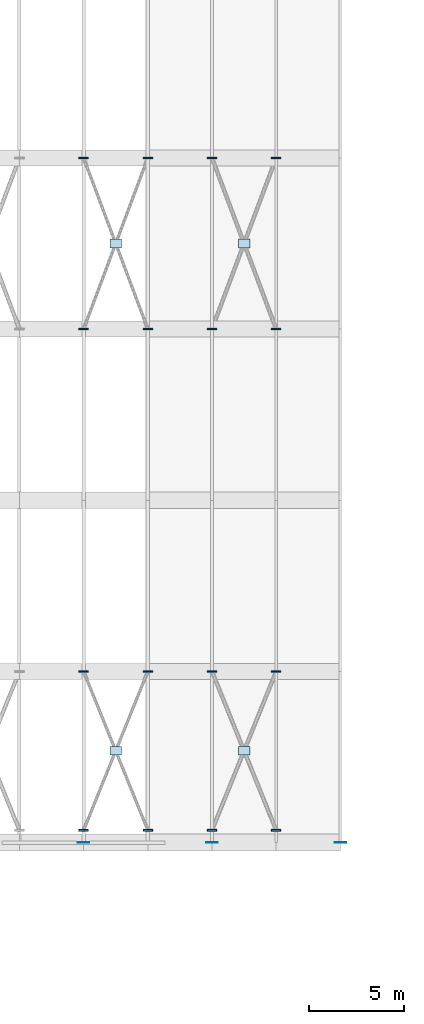
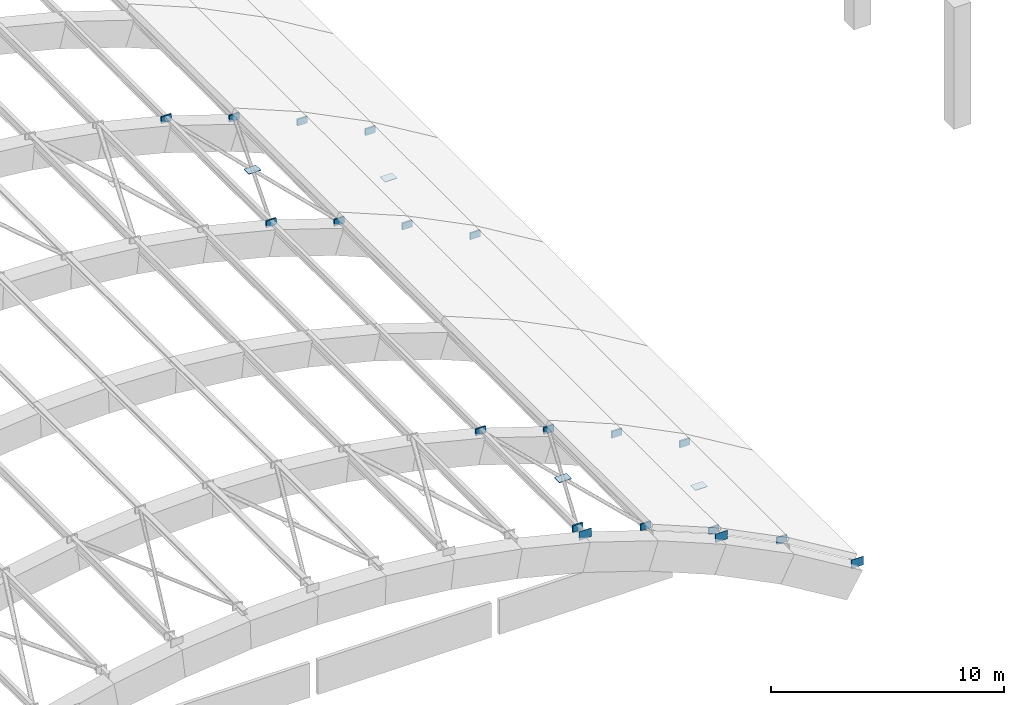
# One storey, part 20 of 30: 23 plates.
"""IFC4 building model written with IfcOpenShell, lengths in metres."""

import ifcopenshell
import ifcopenshell.guid

model = None  # the IFC model being written
_history = None  # IfcOwnerHistory: only IFC2X3 demands one
_inside = {}  # id of a spatial element -> (the spatial element, [elements in it])
_under = {}  # id of a project, library or spatial element -> (it, [spatial elements below it])
_declared = {}  # id of a project -> (the project, [libraries it declares])
_typed = {}  # id of a type object -> (the type object, [elements of that type])
_made_of = {}  # id of a material, layer set ... -> (it, [elements and type objects made of it])


def new_model(schema):
    """Start an empty IFC model of exactly this schema.

    Asked for "IFC4X3", IfcOpenShell would pick the latest addendum, in which some entities
    have other attributes; the version numbers below select the first issue.
    IFC2X3 requires an IfcOwnerHistory on every rooted entity: one is made here for all.
    """
    global model, _history
    if schema == "IFC4X3":
        model = ifcopenshell.file(schema_version=(4, 3, 0, 0))
    else:
        model = ifcopenshell.file(schema=schema)
    _inside.clear()
    _under.clear()
    _declared.clear()
    _typed.clear()
    _made_of.clear()
    _history = None
    if model.schema == "IFC2X3":
        org = make("IfcOrganization", Name="unknown")
        user = make(
            "IfcPersonAndOrganization",
            ThePerson=make("IfcPerson", FamilyName="unknown"),
            TheOrganization=org,
        )
        app = make(
            "IfcApplication",
            ApplicationDeveloper=org,
            Version="unknown",
            ApplicationFullName="unknown",
            ApplicationIdentifier="unknown",
        )
        _history = make(
            "IfcOwnerHistory",
            OwningUser=user,
            OwningApplication=app,
            ChangeAction="ADDED",
            CreationDate=0,
        )
    return model


def make(cls, **values):
    """One entity of the class cls with the attributes given. An attribute that is None is left unset."""
    return model.create_entity(
        cls, **{name: value for name, value in values.items() if value is not None}
    )


def rooted(cls, **values):
    """An entity with a GlobalId (a new one), such as an element, a storey or a relation."""
    return make(cls, GlobalId=ifcopenshell.guid.new(), OwnerHistory=_history, **values)


def si_unit(unit_type, name, prefix=None):
    """IfcSIUnit, for example si_unit("LENGTHUNIT", "METRE", prefix="MILLI")."""
    return make("IfcSIUnit", UnitType=unit_type, Prefix=prefix, Name=name)


def assignment(units):
    """IfcUnitAssignment: the units of a project."""
    return None if units is None else make("IfcUnitAssignment", Units=units)


def point(xyz):
    """IfcCartesianPoint."""
    return None if xyz is None else make("IfcCartesianPoint", Coordinates=xyz)


def direction(xyz):
    """IfcDirection."""
    return None if xyz is None else make("IfcDirection", DirectionRatios=xyz)


def frame(location, z_axis=None, x_axis=None):
    """IfcAxis2Placement3D, a coordinate frame: its origin and axes. An axis left out is left unset."""
    return make(
        "IfcAxis2Placement3D",
        Location=point(location),
        Axis=direction(z_axis),
        RefDirection=direction(x_axis),
    )


def frame_2d(location, x_axis=None):
    """IfcAxis2Placement2D, a coordinate frame in the plane: its origin and x axis."""
    return make(
        "IfcAxis2Placement2D", Location=point(location), RefDirection=direction(x_axis)
    )


def origin():
    """The frame at (0, 0, 0) with its axes left unset."""
    return frame((0.0, 0.0, 0.0))


def origin_2d():
    """The frame at (0, 0) in the plane with its x axis left unset."""
    return frame_2d((0.0, 0.0))


def place(relative_to, where):
    """IfcLocalPlacement: puts the frame where relative to a parent placement (None: the world)."""
    return make(
        "IfcLocalPlacement", PlacementRelTo=relative_to, RelativePlacement=where
    )


def context(
    kind, dimensions, precision=None, world=None, true_north=None, identifier=None
):
    """IfcGeometricRepresentationContext, for example the 3D "Model" context."""
    return make(
        "IfcGeometricRepresentationContext",
        ContextIdentifier=identifier,
        ContextType=kind,
        CoordinateSpaceDimension=dimensions,
        Precision=precision,
        WorldCoordinateSystem=world,
        TrueNorth=true_north,
    )


def subcontext(parent, identifier, kind, view, scale=None):
    """IfcGeometricRepresentationSubContext, for example "Body" below "Model"."""
    return make(
        "IfcGeometricRepresentationSubContext",
        ContextIdentifier=identifier,
        ContextType=kind,
        ParentContext=parent,
        TargetScale=scale,
        TargetView=view,
    )


def project(units=None, contexts=None):
    """IfcProject with its units and contexts."""
    return rooted(
        "IfcProject",
        Name="project",
        RepresentationContexts=contexts,
        UnitsInContext=assignment(units),
    )


def spatial(cls, under=None, at=None, **own):
    """A site, building, storey or space (cls), placed at a placement, below another one or the project."""
    s = rooted(cls, ObjectPlacement=at, **own)
    if under is not None:
        _under.setdefault(under.id(), (under, []))[1].append(s)
    return s


def profile(cls, at=None, kind="AREA", **sizes):
    """A parametric profile (cls). Its sizes go by their IFC names, for example OverallWidth=200.0."""
    return make(cls, ProfileType=kind, Position=at, **sizes)


def rectangle(**sizes):
    """IfcRectangleProfileDef."""
    return profile("IfcRectangleProfileDef", **sizes)


def extrude(swept, where, along, depth):
    """IfcExtrudedAreaSolid: the profile swept, set in the frame where, extruded along a direction by depth."""
    return make(
        "IfcExtrudedAreaSolid",
        SweptArea=swept,
        Position=where,
        ExtrudedDirection=direction(along),
        Depth=depth,
    )


def shape(context_of_items, identifier, shape_type, items):
    """IfcShapeRepresentation: the items that make up one representation, for example the "Body"."""
    return make(
        "IfcShapeRepresentation",
        ContextOfItems=context_of_items,
        RepresentationIdentifier=identifier,
        RepresentationType=shape_type,
        Items=items,
    )


def material(Name=None, Category=None):
    """IfcMaterial."""
    return make("IfcMaterial", Name=Name, Category=Category)


def layer(
    of_material, thickness, ventilated=None, Name=None, Category=None, Priority=None
):
    """IfcMaterialLayer: one layer of a wall or slab, of a material (None: an air gap)."""
    return make(
        "IfcMaterialLayer",
        Material=of_material,
        LayerThickness=thickness,
        IsVentilated=ventilated,
        Name=Name,
        Category=Category,
        Priority=Priority,
    )


def layer_set(layers, Name=None):
    """IfcMaterialLayerSet."""
    return make("IfcMaterialLayerSet", MaterialLayers=layers, LayerSetName=Name)


def made_of(thing, what):
    """Note that an element or type object is made of a material, layer set ...; save() writes the relation."""
    if what is not None:
        _made_of.setdefault(what.id(), (what, []))[1].append(thing)
    return thing


def type_object(cls, material=None, **own):
    """A type object (cls), such as IfcWallType, which elements share."""
    return made_of(rooted(cls, **own), material)


def element(
    cls,
    number,
    at=None,
    inside=None,
    cuts=None,
    type_object=None,
    material=None,
    context=None,
    identifier="Body",
    shape_type=None,
    held_by="IfcProductDefinitionShape",
    body=None,
    shapes=None,
    **own,
):
    """One element of the class cls, such as IfcWall. Its Tag is "e" and its number.

    at: its placement. inside: the storey or other place that contains it. cuts: it is an
    opening in that element (IfcRelVoidsElement). A single representation is given by context,
    identifier, shape_type and body (its items); several are given by shapes. held_by: the class
    of the entity that holds the representations. save() writes the other relations.
    """
    e = rooted(cls, Tag="e%d" % number, ObjectPlacement=at, **own)
    if body is not None:
        shapes = [shape(context, identifier, shape_type, body)]
    if shapes is not None:
        e.Representation = make(held_by, Representations=shapes)
    if inside is not None:
        _inside.setdefault(inside.id(), (inside, []))[1].append(e)
    if cuts is not None:
        rooted(
            "IfcRelVoidsElement", RelatingBuildingElement=cuts, RelatedOpeningElement=e
        )
    if type_object is not None:
        _typed.setdefault(type_object.id(), (type_object, []))[1].append(e)
    return made_of(e, material)


def aggregate(whole, parts):
    """IfcRelAggregates: a whole, such as a stair, and the parts it consists of."""
    return rooted("IfcRelAggregates", RelatingObject=whole, RelatedObjects=parts)


def save(model, path):
    """Write the relations noted so far, then the file.

    IfcRelAggregates (storeys below a building ...), IfcRelContainedInSpatialStructure (elements
    in a storey), IfcRelDefinesByType, IfcRelAssociatesMaterial and IfcRelDeclares: one each for
    every whole, place, type object, material and project.
    """
    for whole, parts in _under.values():
        aggregate(whole, parts)
    for where, things in _inside.values():
        rooted(
            "IfcRelContainedInSpatialStructure",
            RelatedElements=things,
            RelatingStructure=where,
        )
    for kind, things in _typed.values():
        rooted("IfcRelDefinesByType", RelatedObjects=things, RelatingType=kind)
    for what, things in _made_of.values():
        rooted("IfcRelAssociatesMaterial", RelatedObjects=things, RelatingMaterial=what)
    for by, libraries in _declared.values():
        rooted("IfcRelDeclares", RelatingContext=by, RelatedDefinitions=libraries)
    model.write(path)


model = new_model("IFC4")

# Units and contexts
model_context = context("Model", 3, precision=1e-05, world=origin(), true_north=direction((0.0, 1.0)))
body_context = subcontext(model_context, "Body", "Model", "MODEL_VIEW")
ifc_project = project(units=[si_unit("LENGTHUNIT", "METRE"), si_unit("AREAUNIT", "SQUARE_METRE"), si_unit("VOLUMEUNIT", "CUBIC_METRE"), si_unit("PLANEANGLEUNIT", "RADIAN"), si_unit("MASSUNIT", "GRAM", prefix="KILO")], contexts=[model_context])

# Site, building, storey
site_placement = place(None, origin())
site = spatial("IfcSite", under=ifc_project, at=site_placement, CompositionType="ELEMENT")
building_placement = place(site_placement, origin())
building = spatial("IfcBuilding", under=site, at=building_placement, Name="Ornek Quay Market", CompositionType="ELEMENT")
storey_placement = place(building_placement, frame((0.0, 0.0, 12.0)))
storey = spatial("IfcBuildingStorey", under=building, at=storey_placement, Name="L03", CompositionType="ELEMENT", Elevation=12.0)

# Plates
ifc_material = material(Name="Steel S355", Category="steel")
ifc_layer_1 = layer(ifc_material, 0.02001953125, Name="Steel S355", Category="steel")
ifc_layer_set_1 = layer_set([ifc_layer_1], Name="Steel S355")
plate_type_1 = type_object("IfcPlateType", Name="PL-FLG-500x350x20", PredefinedType="USERDEFINED", material=ifc_layer_set_1)
for number, where, z_axis, x_axis, name in (
    (1, (103.5, 29.64990234375, 3.150634765625), (0.0, 0.0, 1.0), (1.0, 0.0, 0.0), "Vault brace end connection plate CP-1131"),
    (2, (106.875, 38.0, 2.05078125), (0.0, 0.0, 1.0), (1.0, 0.0, 0.0), "Vault brace end connection plate CP-1132"),
    (3, (106.875, 29.64990234375, 2.05078125), (0.0, 0.0, 1.0), (1.0, 0.0, 0.0), "Vault brace end connection plate CP-1133"),
    (4, (103.5, 38.0, 3.150634765625), (0.0, 0.0, 1.0), (1.0, 0.0, 0.0), "Vault brace end connection plate CP-1134"),
    (5, (110.25, 29.64990234375, 0.669677734375), (0.0, 0.0, 1.0), (1.0, 0.0, 0.0), "Vault brace end connection plate CP-1151"),
    (6, (113.625, 38.0, -1.01953125), (0.0, 0.0, 1.0), (1.0, 0.0, 0.0), "Vault brace end connection plate CP-1152"),
    (7, (113.625, 29.64990234375, -1.01953125), (0.0, 0.0, 1.0), (1.0, 0.0, 0.0), "Vault brace end connection plate CP-1153"),
    (8, (110.25, 38.0, 0.669677734375), (0.0, 0.0, 1.0), (1.0, 0.0, 0.0), "Vault brace end connection plate CP-1154"),
    (9, (103.5, 56.0, 3.150634765625), (0.0, 0.0, 1.0), (1.0, 0.0, 0.0), "Vault brace end connection plate CP-4131"),
    (10, (106.875, 65.0, 2.05078125), (0.0, 0.0, 1.0), (1.0, 0.0, 0.0), "Vault brace end connection plate CP-4132"),
    (11, (106.875, 56.0, 2.05078125), (0.0, 0.0, 1.0), (1.0, 0.0, 0.0), "Vault brace end connection plate CP-4133"),
    (12, (103.5, 65.0, 3.150634765625), (0.0, 0.0, 1.0), (1.0, 0.0, 0.0), "Vault brace end connection plate CP-4134"),
    (13, (110.25, 56.0, 0.669677734375), (0.0, 0.0, 1.0), (1.0, 0.0, 0.0), "Vault brace end connection plate CP-4151"),
    (14, (113.625, 65.0, -1.01953125), (0.0, 0.0, 1.0), (1.0, 0.0, 0.0), "Vault brace end connection plate CP-4152"),
    (15, (113.625, 56.0, -1.01953125), (0.0, 0.0, 1.0), (1.0, 0.0, 0.0), "Vault brace end connection plate CP-4153"),
    (16, (110.25, 65.0, 0.669677734375), (0.0, 0.0, 1.0), (1.0, 0.0, 0.0), "Vault brace end connection plate CP-4154"),
):
    element("IfcPlate", number, at=place(storey_placement, frame(where, z_axis=z_axis, x_axis=x_axis)), inside=storey, type_object=plate_type_1, Name=name, ObjectType="FLANGE PLATE", PredefinedType="USERDEFINED", context=body_context, shape_type="SweptSolid", body=[
        extrude(rectangle(XDim=0.5, YDim=0.080078125, at=origin_2d()), origin(), (0.0, 0.0, 1.0), 0.35009765625),
    ])
ifc_layer_2 = layer(ifc_material, 0.02490234375, Name="Steel S355", Category="steel")
ifc_layer_set_2 = layer_set([ifc_layer_2], Name="Steel S355")
plate_type_2 = type_object("IfcPlateType", Name="PL-GUS-600x450x25", PredefinedType="USERDEFINED", material=ifc_layer_set_2)
for number, where, z_axis, x_axis, name in (
    (17, (103.5, 29.0, 3.130859375), (0.0, 0.0, 1.0), (1.0, 0.0, 0.0), "Vault gusset plate D-12"),
    (18, (110.25, 29.0, 0.64990234375), (0.0, 0.0, 1.0), (1.0, 0.0, 0.0), "Vault gusset plate D-14"),
    (19, (117.0, 29.0, -3.0751953125), (0.0, 0.0, 1.0), (1.0, 0.0, 0.0), "Vault gusset plate D-16"),
):
    element("IfcPlate", number, at=place(storey_placement, frame(where, z_axis=z_axis, x_axis=x_axis)), inside=storey, type_object=plate_type_2, Name=name, ObjectType="GUSSET PLATE", PredefinedType="USERDEFINED", context=body_context, shape_type="SweptSolid", body=[
        extrude(rectangle(XDim=0.60009765625, YDim=0.02490234375, at=origin_2d()), origin(), (0.0, 0.0, 1.0), 0.449951171875),
    ])
for number, where, z_axis, x_axis, name in (
    (20, (105.1875, 33.824951171875, 2.76318359375), (0.0, 0.0, 1.0), (1.0, 0.0, 0.0), "Vault X-brace crossing gusset GP-X113"),
    (21, (111.9375, 33.824951171875, -0.01220703125), (0.0, 0.0, 1.0), (1.0, 0.0, 0.0), "Vault X-brace crossing gusset GP-X115"),
    (22, (105.1875, 60.5, 2.76318359375), (0.0, 0.0, 1.0), (1.0, 0.0, 0.0), "Vault X-brace crossing gusset GP-X413"),
    (23, (111.9375, 60.5, -0.01220703125), (0.0, 0.0, 1.0), (1.0, 0.0, 0.0), "Vault X-brace crossing gusset GP-X415"),
):
    element("IfcPlate", number, at=place(storey_placement, frame(where, z_axis=z_axis, x_axis=x_axis)), inside=storey, type_object=plate_type_2, Name=name, ObjectType="GUSSET PLATE", PredefinedType="USERDEFINED", context=body_context, shape_type="SweptSolid", body=[
        extrude(rectangle(XDim=0.60009765625, YDim=0.449951171875, at=origin_2d()), origin(), (0.0, 0.0, 1.0), 0.02490234375),
    ])

save(model, "model.ifc")
